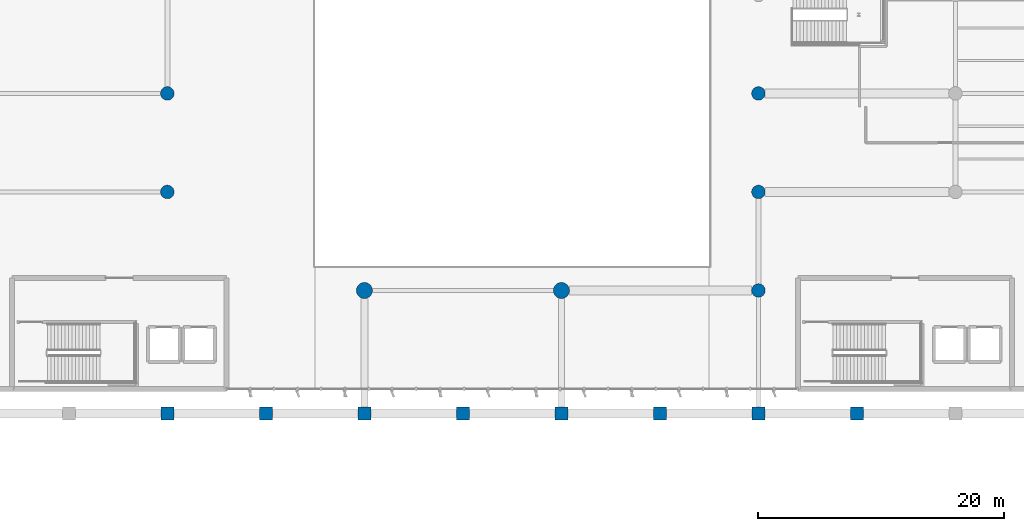
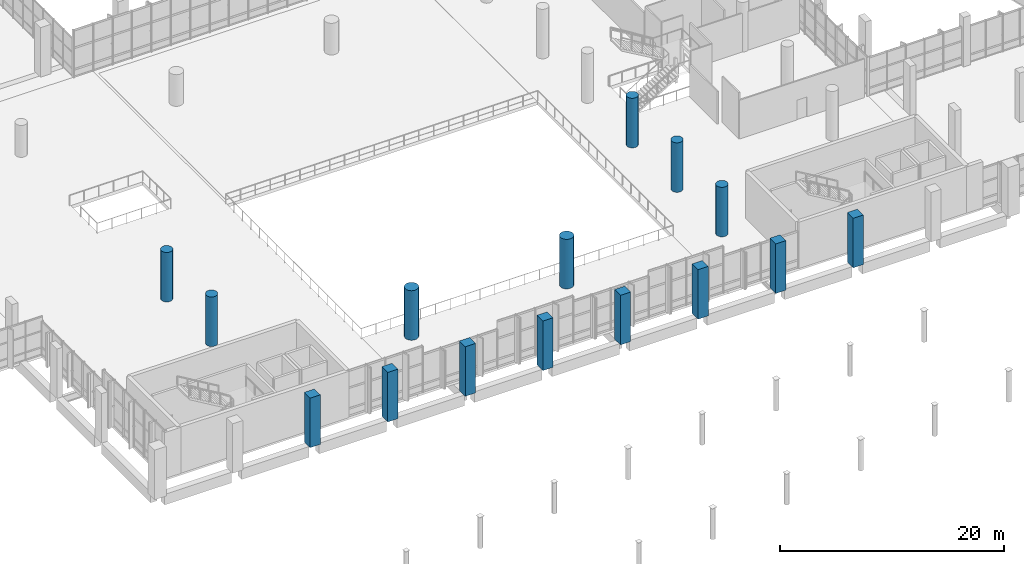
# One storey, part 6 of 176: 15 columns.
"""IFC4 building model written with IfcOpenShell, lengths in metres."""

from ifc_helpers import new_model, si_unit, direction, frame, origin, origin_2d, place, context, subcontext, project, spatial, rectangle, circle, extrude, material, material_profile, profile_set, type_object, element, save


model = new_model("IFC4")

# Units and contexts
model_context = context("Model", 3, precision=1e-05, world=origin(), true_north=direction((0.0, 1.0)))
body_context = subcontext(model_context, "Body", "Model", "MODEL_VIEW")
ifc_project = project(units=[si_unit("LENGTHUNIT", "METRE"), si_unit("AREAUNIT", "SQUARE_METRE"), si_unit("VOLUMEUNIT", "CUBIC_METRE"), si_unit("PLANEANGLEUNIT", "RADIAN"), si_unit("MASSUNIT", "GRAM", prefix="KILO")], contexts=[model_context])

# Site, building, storey
site_placement = place(None, origin())
site = spatial("IfcSite", under=ifc_project, at=site_placement, CompositionType="ELEMENT")
building_placement = place(site_placement, origin())
building = spatial("IfcBuilding", under=site, at=building_placement, Name="Khorjan Park Terminus", CompositionType="ELEMENT")
storey_placement = place(building_placement, frame((0.0, 0.0, 6.0)))
storey = spatial("IfcBuildingStorey", under=building, at=storey_placement, Name="L01", CompositionType="ELEMENT", Elevation=6.0)

# Columns
ifc_material = material(Name="Concrete C50/60", Category="concrete")
ifc_material_profile_1 = material_profile(ifc_material, rectangle(XDim=1.05, YDim=1.05, at=origin_2d()), Name="RC 1050x1050")
ifc_profile_set_1 = profile_set([ifc_material_profile_1], Name="Concrete C50/60")
column_type_1 = type_object("IfcColumnType", Name="COL-RC1050", PredefinedType="COLUMN", material=ifc_profile_set_1)
for number, where, z_axis, x_axis, name in (
    (1, (64.0, 26.0, 0.0), (0.0, 0.0, 1.0), (1.0, 0.0, 0.0), "Structural column C-RC105 (L01 #287)"),
    (2, (72.0, 26.0, 0.0), (0.0, 0.0, 1.0), (1.0, 0.0, 0.0), "Structural column C-RC105 (L01 #310)"),
    (3, (80.0, 26.0, 0.0), (0.0, 0.0, 1.0), (1.0, 0.0, 0.0), "Structural column C-RC105 (L01 #326)"),
    (4, (88.0, 26.0, 0.0), (0.0, 0.0, 1.0), (1.0, 0.0, 0.0), "Structural column C-RC105 (L01 #347)"),
    (5, (96.0, 26.0, 0.0), (0.0, 0.0, 1.0), (1.0, 0.0, 0.0), "Structural column C-RC105 (L01 #363)"),
    (6, (104.0, 26.0, 0.0), (0.0, 0.0, 1.0), (1.0, 0.0, 0.0), "Structural column C-RC105 (L01 #384)"),
    (7, (112.0, 26.0, 0.0), (0.0, 0.0, 1.0), (1.0, 0.0, 0.0), "Structural column C-RC105 (L01 #400)"),
    (8, (120.0, 26.0, 0.0), (0.0, 0.0, 1.0), (1.0, 0.0, 0.0), "Structural column C-RC105 (L01 #428)"),
):
    element("IfcColumn", number, at=place(storey_placement, frame(where, z_axis=z_axis, x_axis=x_axis)), inside=storey, type_object=column_type_1, Name=name, PredefinedType="COLUMN", context=body_context, shape_type="SweptSolid", body=[
        extrude(rectangle(XDim=1.05, YDim=1.05, at=origin_2d()), origin(), (0.0, 0.0, 1.0), 5.4),
    ])
ifc_material_profile_2 = material_profile(ifc_material, circle(Radius=0.55, at=origin_2d()), Name="RC D1100")
ifc_profile_set_2 = profile_set([ifc_material_profile_2], Name="Concrete C50/60")
column_type_2 = type_object("IfcColumnType", Name="COL-RD1100", PredefinedType="COLUMN", material=ifc_profile_set_2)
for number, where, z_axis, x_axis, name in (
    (9, (64.0, 44.0, 0.0), (0.0, 0.0, 1.0), (1.0, 0.0, 0.0), "Structural column C-RD11 (L01 #292)"),
    (10, (64.0, 52.0, 0.0), (0.0, 0.0, 1.0), (1.0, 0.0, 0.0), "Structural column C-RD11 (L01 #295)"),
    (11, (112.0, 36.0, 0.0), (0.0, 0.0, 1.0), (1.0, 0.0, 0.0), "Structural column C-RD11 (L01 #405)"),
    (12, (112.0, 44.0, 0.0), (0.0, 0.0, 1.0), (1.0, 0.0, 0.0), "Structural column C-RD11 (L01 #408)"),
    (13, (112.0, 52.0, 0.0), (0.0, 0.0, 1.0), (1.0, 0.0, 0.0), "Structural column C-RD11 (L01 #411)"),
):
    element("IfcColumn", number, at=place(storey_placement, frame(where, z_axis=z_axis, x_axis=x_axis)), inside=storey, type_object=column_type_2, Name=name, PredefinedType="COLUMN", context=body_context, shape_type="SweptSolid", body=[
        extrude(circle(Radius=0.55, at=origin_2d()), origin(), (0.0, 0.0, 1.0), 5.4),
    ])
ifc_material_profile_3 = material_profile(ifc_material, circle(Radius=0.65, at=origin_2d()), Name="RC D1300")
ifc_profile_set_3 = profile_set([ifc_material_profile_3], Name="Concrete C50/60")
column_type_3 = type_object("IfcColumnType", Name="COL-RD1300", PredefinedType="COLUMN", material=ifc_profile_set_3)
for number, where, z_axis, x_axis, name in (
    (14, (80.0, 36.0, 0.0), (0.0, 0.0, 1.0), (1.0, 0.0, 0.0), "Structural column C-RD13 (L01 #331)"),
    (15, (96.0, 36.0, 0.0), (0.0, 0.0, 1.0), (1.0, 0.0, 0.0), "Structural column C-RD13 (L01 #368)"),
):
    element("IfcColumn", number, at=place(storey_placement, frame(where, z_axis=z_axis, x_axis=x_axis)), inside=storey, type_object=column_type_3, Name=name, PredefinedType="COLUMN", context=body_context, shape_type="SweptSolid", body=[
        extrude(circle(Radius=0.65, at=origin_2d()), origin(), (0.0, 0.0, 1.0), 5.4),
    ])

save(model, "model.ifc")
